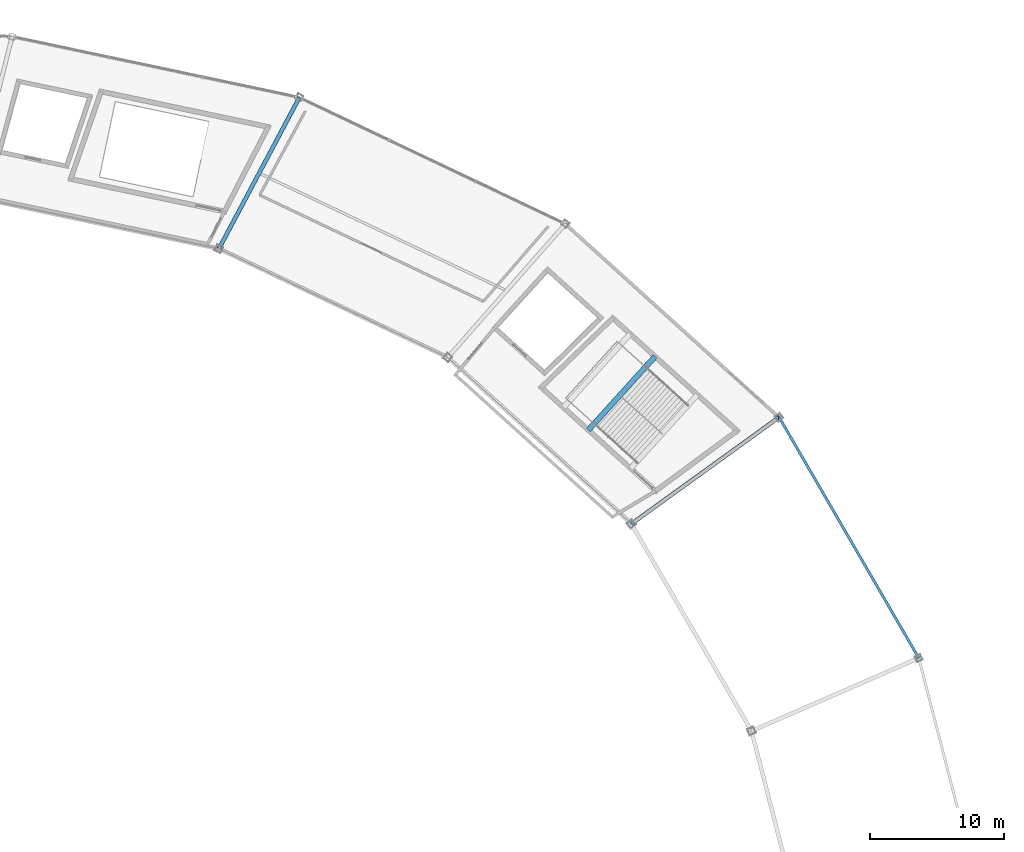
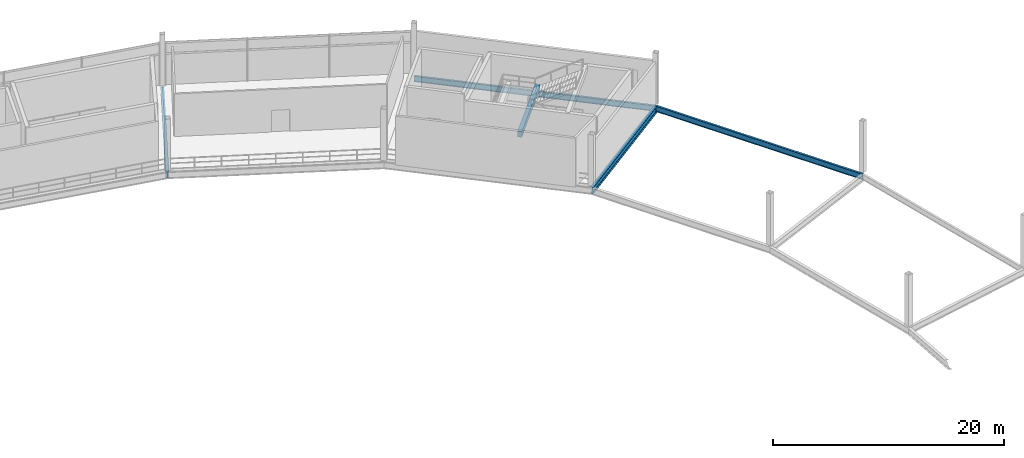
# One storey, part 65 of 103: 5 beams.
"""IFC4 building model written with IfcOpenShell, lengths in metres."""

from ifc_helpers import new_model, si_unit, direction, frame, origin, origin_2d, place, context, subcontext, project, spatial, rectangle, i_section, extrude, material, material_profile, profile_set, type_object, element, save


model = new_model("IFC4")

# Units and contexts
model_context = context("Model", 3, precision=1e-05, world=origin(), true_north=direction((0.0, 1.0)))
body_context = subcontext(model_context, "Body", "Model", "MODEL_VIEW")
ifc_project = project(units=[si_unit("LENGTHUNIT", "METRE"), si_unit("AREAUNIT", "SQUARE_METRE"), si_unit("VOLUMEUNIT", "CUBIC_METRE"), si_unit("PLANEANGLEUNIT", "RADIAN"), si_unit("MASSUNIT", "GRAM", prefix="KILO")], contexts=[model_context])

# Site, building, storey
site_placement = place(None, origin())
site = spatial("IfcSite", under=ifc_project, at=site_placement, CompositionType="ELEMENT")
building_placement = place(site_placement, origin())
building = spatial("IfcBuilding", under=site, at=building_placement, Name="Kazemori Nagisa Stadium", CompositionType="ELEMENT")
storey_placement = place(building_placement, frame((0.0, 0.0, 25.840087890625)))
storey = spatial("IfcBuildingStorey", under=building, at=storey_placement, Name="L05", CompositionType="ELEMENT", Elevation=25.840087890625)

# Beams
ifc_material_1 = material(Name="Steel SN490B", Category="steel")
ifc_material_profile_1 = material_profile(ifc_material_1, i_section(OverallWidth=0.300048828125, OverallDepth=0.699951171875, WebThickness=0.012939453125, FlangeThickness=0.02392578125, FilletRadius=0.01806640625, at=origin_2d()), Name="H-700x300x13x24")
ifc_profile_set_1 = profile_set([ifc_material_profile_1], Name="Steel SN490B")
beam_type_1 = type_object("IfcBeamType", Name="Beam_BG-H700", PredefinedType="BEAM", material=ifc_profile_set_1)
beam_1_placement = place(storey_placement, frame((190.506103515625, 150.734130859375, -0.610107421875), z_axis=(0.810787509935, 0.585340596349, 0.0), x_axis=(-0.585340596349, 0.810787509935, 0.0)))
element("IfcBeam", 1, at=beam_1_placement, inside=storey, type_object=beam_type_1, Name="Radial girder BG-H700 L05 R2-R3-04", PredefinedType="BEAM", context=body_context, shape_type="SweptSolid", body=[
    extrude(i_section(OverallWidth=0.300048828125, OverallDepth=0.699951171875, WebThickness=0.012939453125, FlangeThickness=0.02392578125, FilletRadius=0.01806640625, at=origin_2d()), origin(), (0.0, 0.0, 1.0), 13.5537109375),
])
beam_2_placement = place(storey_placement, frame((159.81201171875, 171.19921875, -0.610107421875), z_axis=(0.469648511848, 0.882853484628, 0.0), x_axis=(-0.882853484628, 0.469648511848, 0.0)))
element("IfcBeam", 2, at=beam_2_placement, inside=storey, type_object=beam_type_1, Name="Radial girder BG-H700 L05 R2-R3-06", PredefinedType="BEAM", context=body_context, shape_type="SweptSolid", body=[
    extrude(i_section(OverallWidth=0.300048828125, OverallDepth=0.699951171875, WebThickness=0.012939453125, FlangeThickness=0.02392578125, FilletRadius=0.01806640625, at=origin_2d()), origin(), (0.0, 0.0, 1.0), 12.760009765625),
])
ifc_material_2 = material(Name="Concrete C40/50 (Fc42)", Category="concrete")
ifc_material_profile_2 = material_profile(ifc_material_2, rectangle(XDim=0.39990234375, YDim=0.60009765625, at=origin_2d()), Name="RC-BM-400x600")
ifc_profile_set_2 = profile_set([ifc_material_profile_2], Name="Concrete C40/50 (Fc42)")
beam_type_2 = type_object("IfcBeamType", Name="Beam_BG-LND400X600", PredefinedType="BEAM", material=ifc_profile_set_2)
beam_3_placement = place(storey_placement, frame((187.307373046875, 157.717041015625, 2.219970703125), z_axis=(0.671129682405, 0.741339968837, 0.0), x_axis=(-0.741339968837, 0.671129682405, 0.0)))
element("IfcBeam", 3, at=beam_3_placement, inside=storey, type_object=beam_type_2, Name="Core stair mid-landing girder ST01-L05-1", PredefinedType="BEAM", context=body_context, shape_type="SweptSolid", body=[
    extrude(rectangle(XDim=0.39990234375, YDim=0.60009765625, at=origin_2d()), origin(), (0.0, 0.0, 1.0), 7.3857421875),
])
ifc_material_profile_3 = material_profile(ifc_material_1, i_section(OverallWidth=0.199951171875, OverallDepth=0.60009765625, WebThickness=0.010986328125, FlangeThickness=0.01708984375, FilletRadius=0.012939453125, at=origin_2d()), Name="H-600x200x11x17")
ifc_profile_set_3 = profile_set([ifc_material_profile_3], Name="Steel SN490B")
beam_type_3 = type_object("IfcBeamType", Name="Beam_BS-H600", PredefinedType="SPANDREL", material=ifc_profile_set_3)
beam_4_placement = place(storey_placement, frame((211.885009765625, 140.74951171875, -0.56005859375), z_axis=(-0.50161277459, 0.8650922635, 0.0), x_axis=(-0.8650922635, -0.50161277459, 0.0)))
element("IfcBeam", 4, at=beam_4_placement, inside=storey, type_object=beam_type_3, Name="Ring girder BS-H600 L05 R3-03", PredefinedType="SPANDREL", context=body_context, shape_type="SweptSolid", body=[
    extrude(i_section(OverallWidth=0.199951171875, OverallDepth=0.60009765625, WebThickness=0.010986328125, FlangeThickness=0.01708984375, FilletRadius=0.012939453125, at=origin_2d()), origin(), (0.0, 0.0, 1.0), 20.71240234375),
])
beam_5_placement = place(storey_placement, frame((201.495361328125, 158.667724609375, -0.56005859375), z_axis=(-0.741351531326, 0.671116910084, 0.0), x_axis=(-0.671116910084, -0.741351531326, 0.0)))
element("IfcBeam", 5, at=beam_5_placement, inside=storey, type_object=beam_type_3, Name="Ring girder BS-H600 L05 R3-04", PredefinedType="SPANDREL", context=body_context, shape_type="SweptSolid", body=[
    extrude(i_section(OverallWidth=0.199951171875, OverallDepth=0.60009765625, WebThickness=0.010986328125, FlangeThickness=0.01708984375, FilletRadius=0.012939453125, at=origin_2d()), origin(), (0.0, 0.0, 1.0), 21.44384765625),
])

save(model, "model.ifc")
